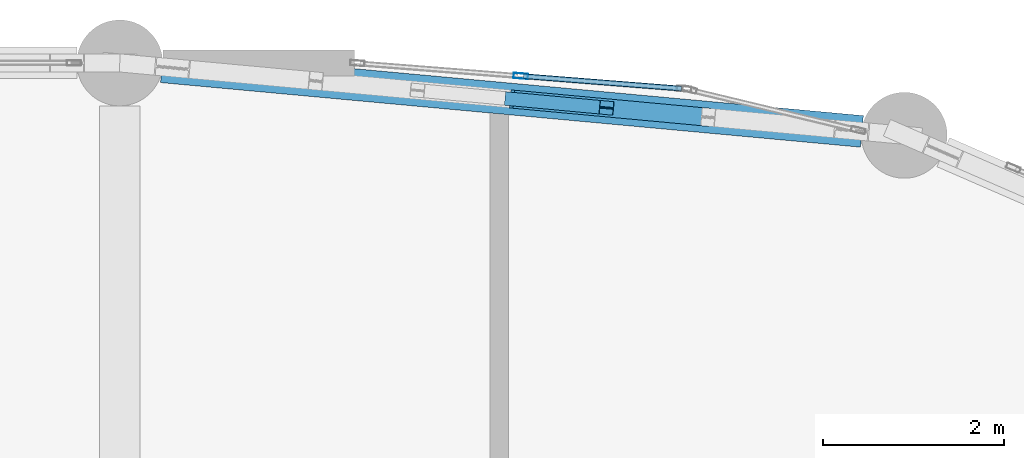
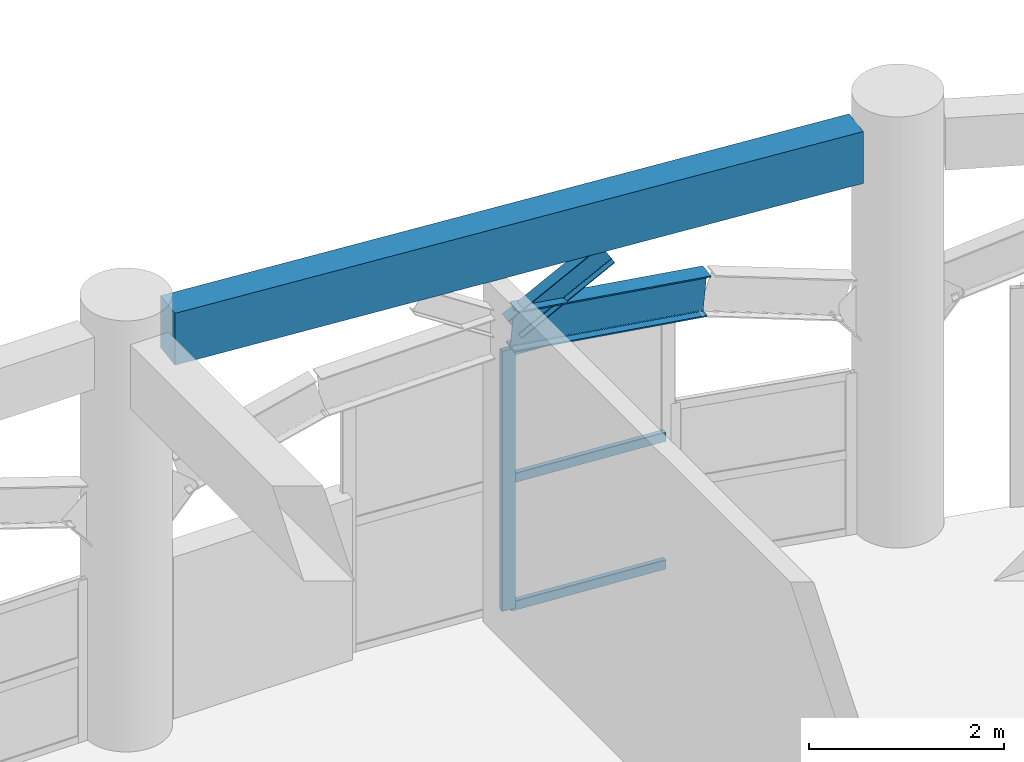
# One storey, part 50 of 114: 5 members, 2 beams, 1 element without a shape of its own.
"""IFC4 building model written with IfcOpenShell, lengths in metres."""

from ifc_helpers import new_model, si_unit, derived_unit, direction, frame, origin, origin_2d, place, context, subcontext, project, spatial, rectangle, hollow_rectangle, i_section, extrude, material, layer, layer_set, material_profile, profile_set, type_object, element, aggregate, save


model = new_model("IFC4")

# Units and contexts
model_context = context("Model", 3, precision=1e-05, world=origin(), true_north=direction((0.0, 1.0)))
body_context = subcontext(model_context, "Body", "Model", "MODEL_VIEW")
ifc_project = project(units=[si_unit("LENGTHUNIT", "METRE"), si_unit("AREAUNIT", "SQUARE_METRE"), si_unit("VOLUMEUNIT", "CUBIC_METRE"), si_unit("PLANEANGLEUNIT", "RADIAN"), si_unit("MASSUNIT", "GRAM", prefix="KILO"), derived_unit("THERMALTRANSMITTANCEUNIT", [(si_unit("MASSUNIT", "GRAM", prefix="KILO"), 1), (si_unit("TIMEUNIT", "SECOND"), -3), (si_unit("THERMODYNAMICTEMPERATUREUNIT", "KELVIN"), -1)])], contexts=[model_context])

# Site, building, storey
site_placement = place(None, origin())
site = spatial("IfcSite", under=ifc_project, at=site_placement, CompositionType="ELEMENT")
building_placement = place(site_placement, origin())
building = spatial("IfcBuilding", under=site, at=building_placement, Name="Qinzheling Arcade Emporium", CompositionType="ELEMENT")
storey_placement = place(building_placement, frame((0.0, 0.0, 6.0)))
storey = spatial("IfcBuildingStorey", under=building, at=storey_placement, Name="L02", CompositionType="ELEMENT", Elevation=6.0)

# Beam
ifc_material_1 = material(Name="Weathering steel Q355NH", Category="steel")
ifc_material_profile_1 = material_profile(ifc_material_1, i_section(OverallWidth=0.199951171875, OverallDepth=0.5, WebThickness=0.010009765625, FlangeThickness=0.01611328125, FilletRadius=0.01806640625, at=origin_2d()), Name="HN 500x200x10x16", Category="steel")
ifc_profile_set_1 = profile_set([ifc_material_profile_1], Name="Weathering steel Q355NH")
beam_type_1 = type_object("IfcBeamType", Name="Arcade End Arch Rib HN500 Q355NH", PredefinedType="BEAM", material=ifc_profile_set_1)
beam_1_placement = place(storey_placement, frame((128.31103515625, 113.9990234375, 3.52392578125), z_axis=(-0.991931160776, 0.091849611309, 0.087385474672), x_axis=(-0.092202324621, -0.995740293116, 0.0)))
element("IfcBeam", 1, at=beam_1_placement, inside=storey, type_object=beam_type_1, Name="Curved Arcade Entrance Arch ARC-L02-CV6-B05-C03", PredefinedType="BEAM", context=body_context, shape_type="SweptSolid", body=[
    extrude(i_section(OverallWidth=0.199951171875, OverallDepth=0.5, WebThickness=0.010009765625, FlangeThickness=0.01611328125, FilletRadius=0.01806640625, at=origin_2d()), origin(), (0.0, 0.0, 1.0), 2.1875),
])

# Member
ifc_material_profile_2 = material_profile(ifc_material_1, i_section(OverallWidth=0.14990234375, OverallDepth=0.300048828125, WebThickness=0.006591796875, FlangeThickness=0.009033203125, FilletRadius=0.012939453125, at=origin_2d()), Name="HN 300x150x6.5x9", Category="steel")
ifc_profile_set_2 = profile_set([ifc_material_profile_2], Name="Weathering steel Q355NH")
member_type_1 = type_object("IfcMemberType", Name="Arcade Spandrel Web Chord HN300 Q355NH", PredefinedType="CHORD", material=ifc_profile_set_2)
member_1_placement = place(storey_placement, frame((126.14111328125, 114.199951171875, 3.72509765625), z_axis=(0.850363199951, -0.078803499155, 0.520261892407), x_axis=(0.092275028627, 0.995733558283, 0.0)))
element("IfcMember", 2, at=member_1_placement, inside=storey, type_object=member_type_1, Name="Arcade Spandrel Web Chord ASW-L02-CV6-B05-W1", PredefinedType="CHORD", context=body_context, shape_type="SweptSolid", body=[
    extrude(i_section(OverallWidth=0.14990234375, OverallDepth=0.300048828125, WebThickness=0.006591796875, FlangeThickness=0.009033203125, FilletRadius=0.012939453125, at=origin_2d()), origin(), (0.0, 0.0, 1.0), 1.22998046875),
])

# Curtain wall, members
ifc_material_2 = material(Name="Anodised aluminium and solar-control double glazing", Category="aluminium")
ifc_layer = layer(ifc_material_2, 0.159912109375, Name="Anodised aluminium and solar-control double glazing", Category="aluminium")
ifc_layer_set = layer_set([ifc_layer], Name="Anodised aluminium and solar-control double glazing")
curtain_wall_type = type_object("IfcCurtainWallType", Name="Curved Ribbon Sales Curtain Wall", PredefinedType="NOTDEFINED", material=ifc_layer_set)
curtain_wall_placement = place(storey_placement, origin())
curtain_wall = element("IfcCurtainWall", 3, at=curtain_wall_placement, inside=storey, type_object=curtain_wall_type, Name="Curtain Wall CW-L02-103", PredefinedType="NOTDEFINED")
ifc_material_3 = material(Name="Anodised aluminium 6063-T6", Category="aluminium")
ifc_material_profile_3 = material_profile(ifc_material_3, hollow_rectangle(XDim=0.06005859375, YDim=0.159912109375, WallThickness=0.00390625, InnerFilletRadius=0.00390625, OuterFilletRadius=0.008056640625, at=origin_2d()), Name="RHS 160x60x4", Category="aluminium")
ifc_profile_set_3 = profile_set([ifc_material_profile_3], Name="Anodised aluminium 6063-T6")
member_type_2 = type_object("IfcMemberType", Name="Curtain Wall Mullion RHS160x60", PredefinedType="MULLION", material=ifc_profile_set_3)
member_2_placement = place(storey_placement, frame((126.238037109375, 114.45556640625, 0.0), z_axis=(0.0, 0.0, 1.0), x_axis=(0.078376222365, 0.996923852542, 0.0)))
member_2 = element("IfcMember", 4, at=member_2_placement, type_object=member_type_2, Name="CW02 mullion 2", PredefinedType="MULLION", context=body_context, shape_type="SweptSolid", body=[
    extrude(hollow_rectangle(XDim=0.06005859375, YDim=0.159912109375, WallThickness=0.00390625, InnerFilletRadius=0.00390625, OuterFilletRadius=0.008056640625, at=origin_2d()), origin(), (0.0, 0.0, 1.0), 3.259033203125),
])
ifc_material_profile_4 = material_profile(ifc_material_3, hollow_rectangle(XDim=0.06005859375, YDim=0.1201171875, WallThickness=0.00390625, InnerFilletRadius=0.00390625, OuterFilletRadius=0.008056640625, at=origin_2d()), Name="RHS 120x60x4", Category="aluminium")
ifc_profile_set_4 = profile_set([ifc_material_profile_4], Name="Anodised aluminium 6063-T6")
member_type_3 = type_object("IfcMemberType", Name="Curtain Wall Transom RHS120x60", PredefinedType="USERDEFINED", material=ifc_profile_set_4)
member_3_placement = place(storey_placement, frame((126.267822265625, 114.453125, 0.030029296875), z_axis=(0.996923677954, -0.078378443051, 0.0), x_axis=(0.078378443051, 0.996923677954, 0.0)))
member_3 = element("IfcMember", 5, at=member_3_placement, type_object=member_type_3, Name="CW02 transom 2.1", ObjectType="TRANSOM", PredefinedType="USERDEFINED", context=body_context, shape_type="SweptSolid", body=[
    extrude(hollow_rectangle(XDim=0.06005859375, YDim=0.1201171875, WallThickness=0.00390625, InnerFilletRadius=0.00390625, OuterFilletRadius=0.008056640625, at=origin_2d()), origin(), (0.0, 0.0, 1.0), 1.753662109375),
])
member_4_placement = place(storey_placement, frame((126.267822265625, 114.453125, 1.6298828125), z_axis=(0.996923677954, -0.078378443051, 0.0), x_axis=(0.078378443051, 0.996923677954, 0.0)))
member_4 = element("IfcMember", 6, at=member_4_placement, type_object=member_type_3, Name="CW02 transom 2.2", ObjectType="TRANSOM", PredefinedType="USERDEFINED", context=body_context, shape_type="SweptSolid", body=[
    extrude(hollow_rectangle(XDim=0.06005859375, YDim=0.1201171875, WallThickness=0.00390625, InnerFilletRadius=0.00390625, OuterFilletRadius=0.008056640625, at=origin_2d()), origin(), (0.0, 0.0, 1.0), 1.753662109375),
])
member_5_placement = place(storey_placement, frame((126.267822265625, 114.453125, 3.22900390625), z_axis=(0.996923677954, -0.078378443051, 0.0), x_axis=(0.078378443051, 0.996923677954, 0.0)))
member_5 = element("IfcMember", 7, at=member_5_placement, type_object=member_type_3, Name="CW02 transom 2.3", ObjectType="TRANSOM", PredefinedType="USERDEFINED", context=body_context, shape_type="SweptSolid", body=[
    extrude(hollow_rectangle(XDim=0.06005859375, YDim=0.1201171875, WallThickness=0.00390625, InnerFilletRadius=0.00390625, OuterFilletRadius=0.008056640625, at=origin_2d()), origin(), (0.0, 0.0, 1.0), 1.753662109375),
])
aggregate(curtain_wall, [member_2, member_3, member_4, member_5])

# Beam
ifc_material_4 = material(Name="Concrete C40", Category="concrete")
ifc_material_profile_5 = material_profile(ifc_material_4, rectangle(XDim=0.35009765625, YDim=0.64990234375, at=origin_2d()), Name="RC 350x650", Category="concrete")
ifc_profile_set_5 = profile_set([ifc_material_profile_5], Name="Concrete C40")
beam_type_2 = type_object("IfcBeamType", Name="RC Spandrel Edge Beam 350x650 C40", PredefinedType="SPANDREL", material=ifc_profile_set_5)
beam_2_placement = place(storey_placement, frame((130.013916015625, 113.842041015625, 4.81005859375), z_axis=(-0.995768534988, 0.09189681566, 0.0), x_axis=(-0.09189681566, -0.995768534988, 0.0)))
element("IfcBeam", 8, at=beam_2_placement, inside=storey, type_object=beam_type_2, Name="Curved Arcade Spandrel BM-L02-CV6-B05", PredefinedType="SPANDREL", context=body_context, shape_type="SweptSolid", body=[
    extrude(rectangle(XDim=0.35009765625, YDim=0.64990234375, at=origin_2d()), origin(), (0.0, 0.0, 1.0), 7.77880859375),
])

save(model, "model.ifc")
